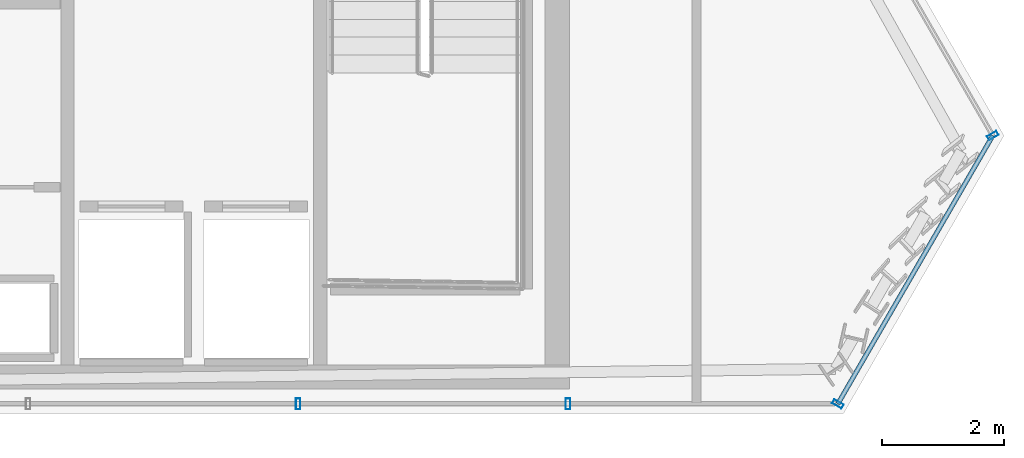
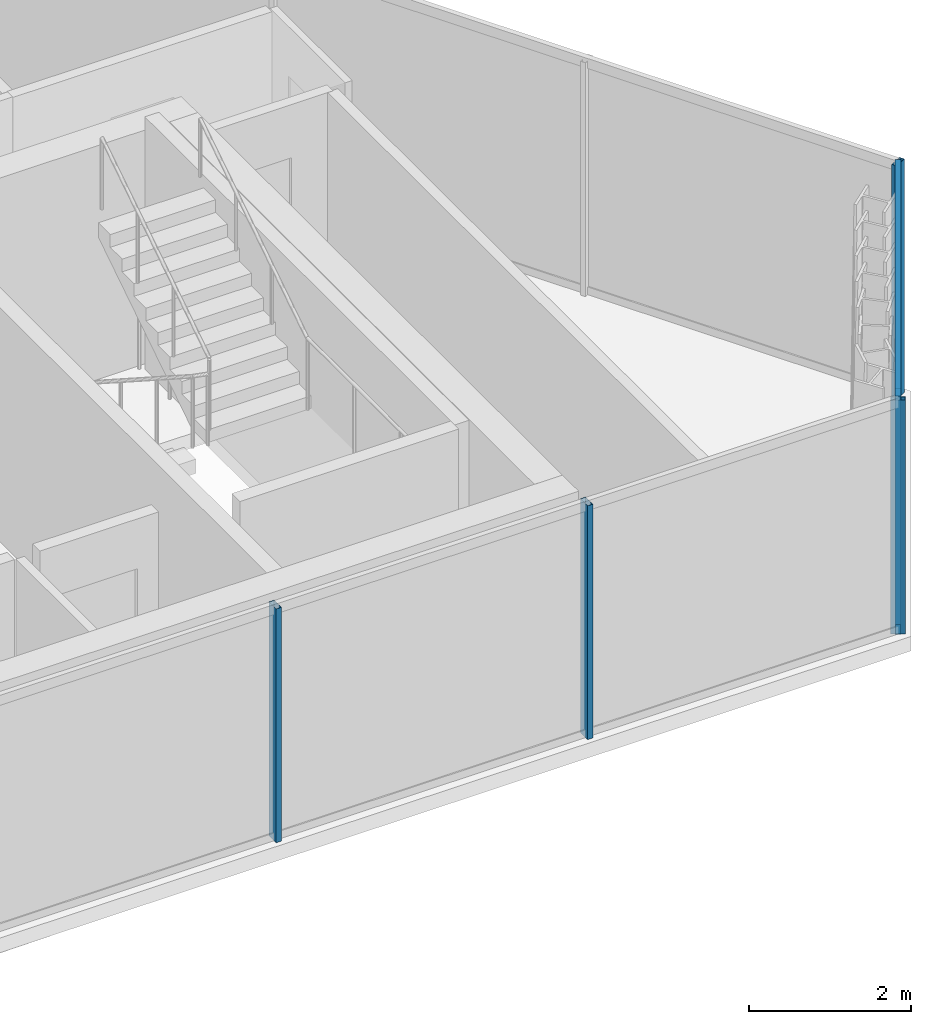
# One storey, part 23 of 35: 6 members, 3 elements without a shape of their own.
"""IFC4 building model written with IfcOpenShell, lengths in metres."""

from ifc_helpers import new_model, si_unit, direction, frame, origin, origin_2d, place, context, subcontext, project, spatial, hollow_rectangle, extrude, material, layer, layer_set, material_profile, profile_set, type_object, element, aggregate, save


model = new_model("IFC4")

# Units and contexts
model_context = context("Model", 3, precision=1e-05, world=origin(), true_north=direction((0.0, 1.0)))
body_context = subcontext(model_context, "Body", "Model", "MODEL_VIEW")
ifc_project = project(units=[si_unit("LENGTHUNIT", "METRE"), si_unit("AREAUNIT", "SQUARE_METRE"), si_unit("VOLUMEUNIT", "CUBIC_METRE"), si_unit("PLANEANGLEUNIT", "RADIAN"), si_unit("MASSUNIT", "GRAM", prefix="KILO")], contexts=[model_context])

# Site, building, storey
site_placement = place(None, origin())
site = spatial("IfcSite", under=ifc_project, at=site_placement, CompositionType="ELEMENT")
building_placement = place(site_placement, origin())
building = spatial("IfcBuilding", under=site, at=building_placement, Name="Ndaravel Arena Tower", CompositionType="ELEMENT")
storey_placement = place(building_placement, frame((0.0, 0.0, 275.0)))
storey = spatial("IfcBuildingStorey", under=building, at=storey_placement, Name="L67", CompositionType="ELEMENT", Elevation=275.0)

# Curtain wall, members
ifc_material_1 = material(Name="Aluminium", Category="aluminium")
ifc_layer_1 = layer(ifc_material_1, 0.179931640625)
ifc_layer_set_1 = layer_set([ifc_layer_1], Name="Aluminium")
curtain_wall_type_1 = type_object("IfcCurtainWallType", Name="CW-SYS-03", PredefinedType="NOTDEFINED", material=ifc_layer_set_1)
curtain_wall_1_placement = place(storey_placement, origin())
curtain_wall_1 = element("IfcCurtainWall", 1, at=curtain_wall_1_placement, inside=storey, type_object=curtain_wall_type_1, Name="L67 Faceted Crystal Curtain Wall CW-L67-E01", PredefinedType="NOTDEFINED")
ifc_material_2 = material(Name="Aluminium", Category="aluminium")
ifc_material_profile_1 = material_profile(ifc_material_2, hollow_rectangle(XDim=0.074951171875, YDim=0.179931640625, WallThickness=0.00390625, at=origin_2d()), Name="CW MULLION 75x180x4")
ifc_profile_set_1 = profile_set([ifc_material_profile_1], Name="Aluminium")
member_type_1 = type_object("IfcMemberType", Name="MEM-CW-MUL180", PredefinedType="MULLION", material=ifc_profile_set_1)
member_1_placement = place(storey_placement, frame((53.08837890625, 5.159912109375, 0.0), z_axis=(0.0, 0.0, 1.0), x_axis=(1.0, 0.0, 0.0)))
member_1 = element("IfcMember", 2, at=member_1_placement, type_object=member_type_1, Name="CW-L67-E01 Mullion 07", PredefinedType="MULLION", context=body_context, shape_type="SweptSolid", body=[
    extrude(hollow_rectangle(XDim=0.074951171875, YDim=0.179931640625, WallThickness=0.00390625, at=origin_2d()), origin(), (0.0, 0.0, 1.0), 3.52001953125),
])
member_2_placement = place(storey_placement, frame((57.523681640625, 5.159912109375, 0.0), z_axis=(0.0, 0.0, 1.0), x_axis=(1.0, 0.0, 0.0)))
member_2 = element("IfcMember", 3, at=member_2_placement, type_object=member_type_1, Name="CW-L67-E01 Mullion 08", PredefinedType="MULLION", context=body_context, shape_type="SweptSolid", body=[
    extrude(hollow_rectangle(XDim=0.074951171875, YDim=0.179931640625, WallThickness=0.00390625, at=origin_2d()), origin(), (0.0, 0.0, 1.0), 3.52001953125),
])
aggregate(curtain_wall_1, [member_1, member_2])

# Curtain wall, member
ifc_material_3 = material(Name="Aluminium", Category="aluminium")
ifc_layer_2 = layer(ifc_material_3, 0.179931640625)
ifc_layer_set_2 = layer_set([ifc_layer_2], Name="Aluminium")
curtain_wall_type_2 = type_object("IfcCurtainWallType", Name="CW-SYS-01", PredefinedType="NOTDEFINED", material=ifc_layer_set_2)
curtain_wall_2_placement = place(storey_placement, origin())
curtain_wall_2 = element("IfcCurtainWall", 4, at=curtain_wall_2_placement, inside=storey, type_object=curtain_wall_type_2, Name="L67 Faceted Crystal Curtain Wall CW-L67-E02", PredefinedType="NOTDEFINED")
member_3_placement = place(storey_placement, frame((61.958984375, 5.159912109375, 0.0), z_axis=(0.0, 0.0, 1.0), x_axis=(0.5, 0.866025403784, 0.0)))
member_3 = element("IfcMember", 5, at=member_3_placement, type_object=member_type_1, Name="CW-L67-E02 Mullion 00", PredefinedType="MULLION", context=body_context, shape_type="SweptSolid", body=[
    extrude(hollow_rectangle(XDim=0.074951171875, YDim=0.179931640625, WallThickness=0.00390625, at=origin_2d()), origin(), (0.0, 0.0, 1.0), 3.52001953125),
])

curtain_wall_3_placement = place(storey_placement, origin())
curtain_wall_3 = element("IfcCurtainWall", 6, at=curtain_wall_3_placement, inside=storey, type_object=curtain_wall_type_1, Name="L67 Faceted Crystal Curtain Wall CW-L67-E03", PredefinedType="NOTDEFINED")
member_4_placement = place(storey_placement, frame((64.50390625, 9.567626953125, 0.0), z_axis=(0.0, 0.0, 1.0), x_axis=(-0.5, 0.866025403784, 0.0)))
member_4 = element("IfcMember", 7, at=member_4_placement, type_object=member_type_1, Name="CW-L67-E03 Mullion 00", PredefinedType="MULLION", context=body_context, shape_type="SweptSolid", body=[
    extrude(hollow_rectangle(XDim=0.074951171875, YDim=0.179931640625, WallThickness=0.00390625, at=origin_2d()), origin(), (0.0, 0.0, 1.0), 3.52001953125),
])
aggregate(curtain_wall_3, [member_4])

# Member
ifc_material_4 = material(Name="Aluminium", Category="aluminium")
ifc_material_profile_2 = material_profile(ifc_material_4, hollow_rectangle(XDim=0.074951171875, YDim=0.14990234375, WallThickness=0.00390625, at=origin_2d()), Name="CW TRANSOM 75x150x4")
ifc_profile_set_2 = profile_set([ifc_material_profile_2], Name="Aluminium")
member_type_2 = type_object("IfcMemberType", Name="MEM-CW-TRN150", PredefinedType="USERDEFINED", material=ifc_profile_set_2)
member_5_placement = place(storey_placement, frame((61.958984375, 5.159912109375, 0.0400390625), z_axis=(0.500018644096, 0.866014639343, 0.0), x_axis=(-0.866014639343, 0.500018644096, 0.0)))
member_5 = element("IfcMember", 8, at=member_5_placement, type_object=member_type_2, Name="CW-L67-E02 Transom 01", ObjectType="TRANSOM", PredefinedType="USERDEFINED", context=body_context, shape_type="SweptSolid", body=[
    extrude(hollow_rectangle(XDim=0.074951171875, YDim=0.14990234375, WallThickness=0.00390625, at=origin_2d()), origin(), (0.0, 0.0, 1.0), 5.089599609375),
])

member_6_placement = place(storey_placement, frame((61.958984375, 5.159912109375, 3.47998046875), z_axis=(0.500018644096, 0.866014639343, 0.0), x_axis=(-0.866014639343, 0.500018644096, 0.0)))
member_6 = element("IfcMember", 9, at=member_6_placement, type_object=member_type_2, Name="CW-L67-E02 Transom 02", ObjectType="TRANSOM", PredefinedType="USERDEFINED", context=body_context, shape_type="SweptSolid", body=[
    extrude(hollow_rectangle(XDim=0.074951171875, YDim=0.14990234375, WallThickness=0.00390625, at=origin_2d()), origin(), (0.0, 0.0, 1.0), 5.089599609375),
])

aggregate(curtain_wall_2, [member_3, member_5, member_6])

save(model, "model.ifc")
